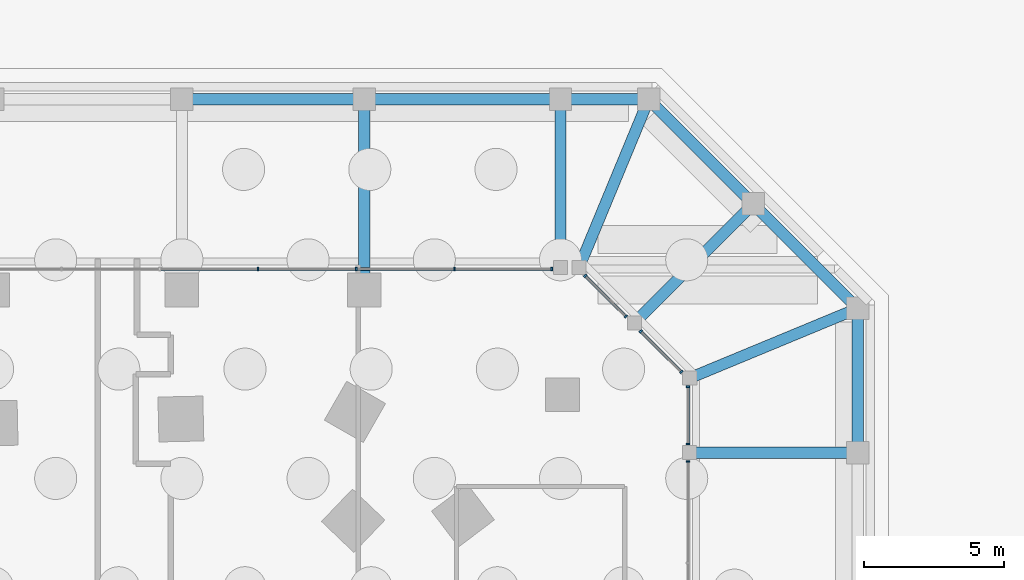
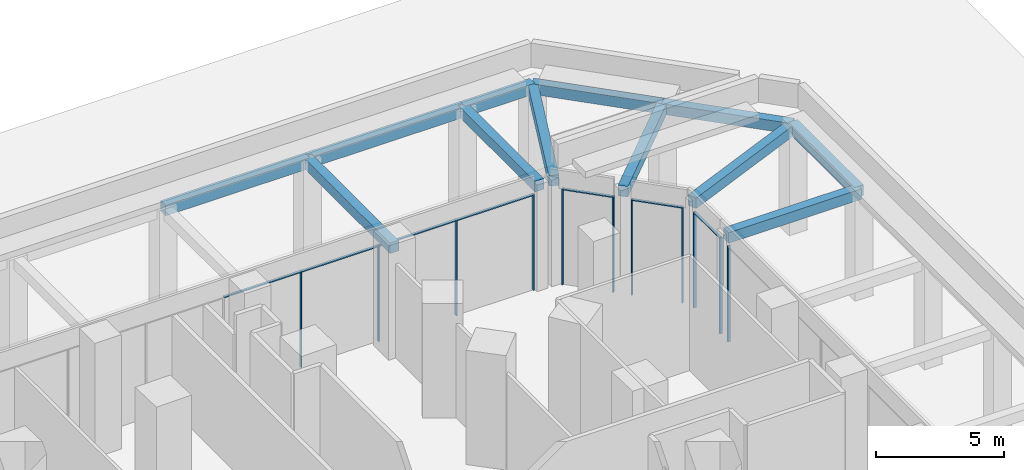
# One storey, part 34 of 46: 18 members, 12 beams, 5 elements without a shape of their own.
"""IFC4 building model written with IfcOpenShell, lengths in metres."""

from ifc_helpers import new_model, si_unit, direction, frame, origin, origin_2d, place, context, subcontext, project, spatial, rectangle, extrude, material, material_profile, profile_set, type_object, element, aggregate, save


model = new_model("IFC4")

# Units and contexts
model_context = context("Model", 3, precision=1e-05, world=origin(), true_north=direction((0.0, 1.0)))
body_context = subcontext(model_context, "Body", "Model", "MODEL_VIEW")
ifc_project = project(units=[si_unit("LENGTHUNIT", "METRE"), si_unit("AREAUNIT", "SQUARE_METRE"), si_unit("VOLUMEUNIT", "CUBIC_METRE"), si_unit("PLANEANGLEUNIT", "RADIAN"), si_unit("MASSUNIT", "GRAM", prefix="KILO")], contexts=[model_context])

# Site, building, storey
site_placement = place(None, origin())
site = spatial("IfcSite", under=ifc_project, at=site_placement, CompositionType="ELEMENT")
building_placement = place(site_placement, origin())
building = spatial("IfcBuilding", under=site, at=building_placement, Name="Mangrove Gate Tower", CompositionType="ELEMENT")
storey_placement = place(building_placement, origin())
storey = spatial("IfcBuildingStorey", under=building, at=storey_placement, Name="L00", CompositionType="ELEMENT", Elevation=0.0)

# Beams
ifc_material_1 = material(Name="Concrete C70/85", Category="concrete")
ifc_material_profile_1 = material_profile(ifc_material_1, rectangle(XDim=0.39990234375, YDim=0.5, at=origin_2d()))
ifc_profile_set_1 = profile_set([ifc_material_profile_1], Name="Concrete C70/85")
beam_type = type_object("IfcBeamType", Name="Canopy beam RC 400x500 C70/85", PredefinedType="BEAM", material=ifc_profile_set_1)
beam_1_placement = place(storey_placement, frame((18.0, 36.89990234375, 4.830078125), z_axis=(1.0, 0.0, 0.0), x_axis=(0.0, 1.0, 0.0)))
element("IfcBeam", 1, at=beam_1_placement, inside=storey, type_object=beam_type, Name="Canopy beam L00 CEN09", PredefinedType="BEAM", context=body_context, shape_type="SweptSolid", body=[
    extrude(rectangle(XDim=0.39990234375, YDim=0.5, at=origin_2d()), origin(), (0.0, 0.0, 1.0), 6.5),
])
beam_2_placement = place(storey_placement, frame((24.5, 36.89990234375, 4.830078125), z_axis=(1.0, 0.0, 0.0), x_axis=(0.0, 1.0, 0.0)))
element("IfcBeam", 2, at=beam_2_placement, inside=storey, type_object=beam_type, Name="Canopy beam L00 CEN10", PredefinedType="BEAM", context=body_context, shape_type="SweptSolid", body=[
    extrude(rectangle(XDim=0.39990234375, YDim=0.5, at=origin_2d()), origin(), (0.0, 0.0, 1.0), 7.0),
])
beam_3_placement = place(storey_placement, frame((31.5, 36.89990234375, 4.830078125), z_axis=(1.0, 0.0, 0.0), x_axis=(0.0, 1.0, 0.0)))
element("IfcBeam", 3, at=beam_3_placement, inside=storey, type_object=beam_type, Name="Canopy beam L00 CEN11", PredefinedType="BEAM", context=body_context, shape_type="SweptSolid", body=[
    extrude(rectangle(XDim=0.39990234375, YDim=0.5, at=origin_2d()), origin(), (0.0, 0.0, 1.0), 3.14404296875),
])
beam_4_placement = place(storey_placement, frame((34.64404296875, 36.89990234375, 4.830078125), z_axis=(0.707129935029, -0.707083626586, 0.0), x_axis=(0.707083626586, 0.707129935029, 0.0)))
element("IfcBeam", 4, at=beam_4_placement, inside=storey, type_object=beam_type, Name="Canopy beam L00 CEN12", PredefinedType="BEAM", context=body_context, shape_type="SweptSolid", body=[
    extrude(rectangle(XDim=0.39990234375, YDim=0.5, at=origin_2d()), origin(), (0.0, 0.0, 1.0), 5.27197265625),
])
beam_5_placement = place(storey_placement, frame((42.10009765625, 24.300048828125, 4.830078125), z_axis=(0.0, 1.0, 0.0), x_axis=(-1.0, 0.0, 0.0)))
element("IfcBeam", 5, at=beam_5_placement, inside=storey, type_object=beam_type, Name="Canopy beam L00 CEE05", PredefinedType="BEAM", context=body_context, shape_type="SweptSolid", body=[
    extrude(rectangle(XDim=0.39990234375, YDim=0.5, at=origin_2d()), origin(), (0.0, 0.0, 1.0), 5.14404296875),
])
beam_6_placement = place(storey_placement, frame((42.10009765625, 29.444091796875, 4.830078125), z_axis=(-0.707106781187, 0.707106781187, 0.0), x_axis=(-0.707106781187, -0.707106781187, 0.0)))
element("IfcBeam", 6, at=beam_6_placement, inside=storey, type_object=beam_type, Name="Canopy beam L00 CEE06", PredefinedType="BEAM", context=body_context, shape_type="SweptSolid", body=[
    extrude(rectangle(XDim=0.39990234375, YDim=0.5, at=origin_2d()), origin(), (0.0, 0.0, 1.0), 5.272216796875),
])
beam_7_placement = place(storey_placement, frame((36.10009765625, 24.300048828125, 4.830078125), z_axis=(1.0, 0.0, 0.0), x_axis=(0.0, 1.0, 0.0)))
element("IfcBeam", 7, at=beam_7_placement, inside=storey, type_object=beam_type, Name="Canopy beam L00 CBE05", PredefinedType="BEAM", context=body_context, shape_type="SweptSolid", body=[
    extrude(rectangle(XDim=0.39990234375, YDim=0.5, at=origin_2d()), origin(), (0.0, 0.0, 1.0), 6.0),
])
beam_8_placement = place(storey_placement, frame((36.107666015625, 26.961669921875, 4.830078125), z_axis=(0.923864519325, 0.382719675392, 0.0), x_axis=(-0.382719675392, 0.923864519325, 0.0)))
element("IfcBeam", 8, at=beam_8_placement, inside=storey, type_object=beam_type, Name="Canopy beam L00 CBE06", PredefinedType="BEAM", context=body_context, shape_type="SweptSolid", body=[
    extrude(rectangle(XDim=0.39990234375, YDim=0.5, at=origin_2d()), origin(), (0.0, 0.0, 1.0), 6.486328125),
])
beam_9_placement = place(storey_placement, frame((24.5, 30.10009765625, 4.830078125), z_axis=(0.0, 1.0, 0.0), x_axis=(-1.0, 0.0, 0.0)))
element("IfcBeam", 9, at=beam_9_placement, inside=storey, type_object=beam_type, Name="Canopy beam L00 CBN10", PredefinedType="BEAM", context=body_context, shape_type="SweptSolid", body=[
    extrude(rectangle(XDim=0.39990234375, YDim=0.5, at=origin_2d()), origin(), (0.0, 0.0, 1.0), 6.7998046875),
])
beam_10_placement = place(storey_placement, frame((31.5, 30.89990234375, 4.830078125), z_axis=(0.0, 1.0, 0.0), x_axis=(-1.0, 0.0, 0.0)))
element("IfcBeam", 10, at=beam_10_placement, inside=storey, type_object=beam_type, Name="Canopy beam L00 CBN11", PredefinedType="BEAM", context=body_context, shape_type="SweptSolid", body=[
    extrude(rectangle(XDim=0.39990234375, YDim=0.5, at=origin_2d()), origin(), (0.0, 0.0, 1.0), 6.0),
])
beam_11_placement = place(storey_placement, frame((32.16162109375, 30.90771484375, 4.830078125), z_axis=(0.382732984475, 0.923859005798, 0.0), x_axis=(-0.923859005798, 0.382732984475, 0.0)))
element("IfcBeam", 11, at=beam_11_placement, inside=storey, type_object=beam_type, Name="Canopy beam L00 CBN12", PredefinedType="BEAM", context=body_context, shape_type="SweptSolid", body=[
    extrude(rectangle(XDim=0.39990234375, YDim=0.5, at=origin_2d()), origin(), (0.0, 0.0, 1.0), 6.486083984375),
])
beam_12_placement = place(storey_placement, frame((34.12939453125, 28.92919921875, 4.830078125), z_axis=(0.707086436595, 0.707127125192, 0.0), x_axis=(-0.707127125192, 0.707086436595, 0.0)))
element("IfcBeam", 12, at=beam_12_placement, inside=storey, type_object=beam_type, Name="Canopy beam L00 CBN13", PredefinedType="BEAM", context=body_context, shape_type="SweptSolid", body=[
    extrude(rectangle(XDim=0.39990234375, YDim=0.5, at=origin_2d()), origin(), (0.0, 0.0, 1.0), 6.000244140625),
])

# Curtain wall, member
ifc_material_2 = material(Name="Aluminium and glass curtain wall", Category="aluminium")
curtain_wall_type = type_object("IfcCurtainWallType", Name="Podium shopfront glazing wall", PredefinedType="NOTDEFINED", material=ifc_material_2)
curtain_wall_1_placement = place(storey_placement, origin())
curtain_wall_1 = element("IfcCurtainWall", 13, at=curtain_wall_1_placement, inside=storey, type_object=curtain_wall_type, Name="Podium shopfront glazing E10s1", PredefinedType="NOTDEFINED")
ifc_material_3 = material(Name="Aluminium alloy 6063-T6", Category="aluminium")
ifc_material_profile_2 = material_profile(ifc_material_3, rectangle(XDim=0.06005859375, YDim=0.1201171875, at=origin_2d()))
ifc_profile_set_2 = profile_set([ifc_material_profile_2], Name="Aluminium alloy 6063-T6")
member_type_1 = type_object("IfcMemberType", Name="Podium shopfront glazing mullion 60x120", PredefinedType="MULLION", material=ifc_profile_set_2)
member_1_placement = place(storey_placement, frame((36.050048828125, 23.989990234375, 0.0), z_axis=(0.0, 0.0, 1.0), x_axis=(0.0, 1.0, 0.0)))
member_1 = element("IfcMember", 14, at=member_1_placement, type_object=member_type_1, Name="CWS mullion 9", PredefinedType="MULLION", context=body_context, shape_type="SweptSolid", body=[
    extrude(rectangle(XDim=0.06005859375, YDim=0.1201171875, at=origin_2d()), origin(), (0.0, 0.0, 1.0), 4.570068359375),
])
aggregate(curtain_wall_1, [member_1])

# Curtain wall, members
curtain_wall_2_placement = place(storey_placement, origin())
curtain_wall_2 = element("IfcCurtainWall", 15, at=curtain_wall_2_placement, inside=storey, type_object=curtain_wall_type, Name="Podium shopfront glazing E10s2", PredefinedType="NOTDEFINED")
member_2_placement = place(storey_placement, frame((36.050048828125, 24.610107421875, 0.0), z_axis=(0.0, 0.0, 1.0), x_axis=(0.0, 1.0, 0.0)))
member_2 = element("IfcMember", 16, at=member_2_placement, type_object=member_type_1, Name="CWS mullion 1", PredefinedType="MULLION", context=body_context, shape_type="SweptSolid", body=[
    extrude(rectangle(XDim=0.06005859375, YDim=0.1201171875, at=origin_2d()), origin(), (0.0, 0.0, 1.0), 4.570068359375),
])
member_3_placement = place(storey_placement, frame((36.050048828125, 26.651611328125, 0.0), z_axis=(0.0, 0.0, 1.0), x_axis=(0.0, 1.0, 0.0)))
member_3 = element("IfcMember", 17, at=member_3_placement, type_object=member_type_1, Name="CWS mullion 2", PredefinedType="MULLION", context=body_context, shape_type="SweptSolid", body=[
    extrude(rectangle(XDim=0.06005859375, YDim=0.1201171875, at=origin_2d()), origin(), (0.0, 0.0, 1.0), 4.570068359375),
])

curtain_wall_3_placement = place(storey_placement, origin())
curtain_wall_3 = element("IfcCurtainWall", 18, at=curtain_wall_3_placement, inside=storey, type_object=curtain_wall_type, Name="Podium shopfront glazing E11s1", PredefinedType="NOTDEFINED")
member_4_placement = place(storey_placement, frame((35.806396484375, 27.181396484375, 0.0), z_axis=(0.0, 0.0, 1.0), x_axis=(-0.707106781187, 0.707106781187, 0.0)))
member_4 = element("IfcMember", 19, at=member_4_placement, type_object=member_type_1, Name="CWS mullion 1", PredefinedType="MULLION", context=body_context, shape_type="SweptSolid", body=[
    extrude(rectangle(XDim=0.06005859375, YDim=0.1201171875, at=origin_2d()), origin(), (0.0, 0.0, 1.0), 4.570068359375),
])
member_5_placement = place(storey_placement, frame((34.35986328125, 28.628173828125, 0.0), z_axis=(0.0, 0.0, 1.0), x_axis=(-0.707106781187, 0.707106781187, 0.0)))
member_5 = element("IfcMember", 20, at=member_5_placement, type_object=member_type_1, Name="CWS mullion 2", PredefinedType="MULLION", context=body_context, shape_type="SweptSolid", body=[
    extrude(rectangle(XDim=0.06005859375, YDim=0.1201171875, at=origin_2d()), origin(), (0.0, 0.0, 1.0), 4.570068359375),
])

curtain_wall_4_placement = place(storey_placement, origin())
curtain_wall_4 = element("IfcCurtainWall", 21, at=curtain_wall_4_placement, inside=storey, type_object=curtain_wall_type, Name="Podium shopfront glazing E11s2", PredefinedType="NOTDEFINED")
member_6_placement = place(storey_placement, frame((33.828125, 29.159912109375, 0.0), z_axis=(0.0, 0.0, 1.0), x_axis=(-0.707106781187, 0.707106781187, 0.0)))
member_6 = element("IfcMember", 22, at=member_6_placement, type_object=member_type_1, Name="CWS mullion 1", PredefinedType="MULLION", context=body_context, shape_type="SweptSolid", body=[
    extrude(rectangle(XDim=0.06005859375, YDim=0.1201171875, at=origin_2d()), origin(), (0.0, 0.0, 1.0), 4.570068359375),
])
member_7_placement = place(storey_placement, frame((32.38134765625, 30.6064453125, 0.0), z_axis=(0.0, 0.0, 1.0), x_axis=(-0.707106781187, 0.707106781187, 0.0)))
member_7 = element("IfcMember", 23, at=member_7_placement, type_object=member_type_1, Name="CWS mullion 2", PredefinedType="MULLION", context=body_context, shape_type="SweptSolid", body=[
    extrude(rectangle(XDim=0.06005859375, YDim=0.1201171875, at=origin_2d()), origin(), (0.0, 0.0, 1.0), 4.570068359375),
])

curtain_wall_5_placement = place(storey_placement, origin())
curtain_wall_5 = element("IfcCurtainWall", 24, at=curtain_wall_5_placement, inside=storey, type_object=curtain_wall_type, Name="Podium shopfront glazing N12s1", PredefinedType="NOTDEFINED")
member_8_placement = place(storey_placement, frame((31.18994140625, 30.85009765625, 0.0), z_axis=(0.0, 0.0, 1.0), x_axis=(-1.0, 0.0, 0.0)))
member_8 = element("IfcMember", 25, at=member_8_placement, type_object=member_type_1, Name="CWS mullion 1", PredefinedType="MULLION", context=body_context, shape_type="SweptSolid", body=[
    extrude(rectangle(XDim=0.06005859375, YDim=0.1201171875, at=origin_2d()), origin(), (0.0, 0.0, 1.0), 4.570068359375),
])
member_9_placement = place(storey_placement, frame((27.717529296875, 30.85009765625, 0.0), z_axis=(0.0, 0.0, 1.0), x_axis=(-1.0, 0.0, 0.0)))
member_9 = element("IfcMember", 26, at=member_9_placement, type_object=member_type_1, Name="CWS mullion 2", PredefinedType="MULLION", context=body_context, shape_type="SweptSolid", body=[
    extrude(rectangle(XDim=0.06005859375, YDim=0.1201171875, at=origin_2d()), origin(), (0.0, 0.0, 1.0), 4.570068359375),
])
member_10_placement = place(storey_placement, frame((24.215087890625, 30.85009765625, 0.0), z_axis=(0.0, 0.0, 1.0), x_axis=(-1.0, 0.0, 0.0)))
member_10 = element("IfcMember", 27, at=member_10_placement, type_object=member_type_1, Name="CWS mullion 3", PredefinedType="MULLION", context=body_context, shape_type="SweptSolid", body=[
    extrude(rectangle(XDim=0.06005859375, YDim=0.1201171875, at=origin_2d()), origin(), (0.0, 0.0, 1.0), 4.570068359375),
])
member_11_placement = place(storey_placement, frame((20.71240234375, 30.85009765625, 0.0), z_axis=(0.0, 0.0, 1.0), x_axis=(-1.0, 0.0, 0.0)))
member_11 = element("IfcMember", 28, at=member_11_placement, type_object=member_type_1, Name="CWS mullion 4", PredefinedType="MULLION", context=body_context, shape_type="SweptSolid", body=[
    extrude(rectangle(XDim=0.06005859375, YDim=0.1201171875, at=origin_2d()), origin(), (0.0, 0.0, 1.0), 4.570068359375),
])

# Member
ifc_material_4 = material(Name="Aluminium alloy 6063-T6", Category="aluminium")
ifc_material_profile_3 = material_profile(ifc_material_4, rectangle(XDim=0.06005859375, YDim=0.10009765625, at=origin_2d()))
ifc_profile_set_3 = profile_set([ifc_material_profile_3], Name="Aluminium alloy 6063-T6")
member_type_2 = type_object("IfcMemberType", Name="Podium shopfront glazing transom 60x100", PredefinedType="USERDEFINED", material=ifc_profile_set_3)
member_12_placement = place(storey_placement, frame((36.050048828125, 24.639892578125, 4.5400390625), z_axis=(0.0, 1.0, 0.0), x_axis=(0.0, 0.0, 1.0)))
member_12 = element("IfcMember", 29, at=member_12_placement, type_object=member_type_2, Name="CWS transom 1.2", ObjectType="TRANSOM", PredefinedType="USERDEFINED", context=body_context, shape_type="SweptSolid", body=[
    extrude(rectangle(XDim=0.06005859375, YDim=0.10009765625, at=origin_2d()), origin(), (0.0, 0.0, 1.0), 1.98193359375),
])

aggregate(curtain_wall_2, [member_2, member_3, member_12])

member_13_placement = place(storey_placement, frame((35.78515625, 27.20263671875, 4.5400390625), z_axis=(-0.707045307005, 0.707168250024, 0.0), x_axis=(0.0, 0.0, 1.0)))
member_13 = element("IfcMember", 30, at=member_13_placement, type_object=member_type_2, Name="CWS transom 1.2", ObjectType="TRANSOM", PredefinedType="USERDEFINED", context=body_context, shape_type="SweptSolid", body=[
    extrude(rectangle(XDim=0.06005859375, YDim=0.10009765625, at=origin_2d()), origin(), (0.0, 0.0, 1.0), 1.98583984375),
])

aggregate(curtain_wall_3, [member_4, member_5, member_13])

member_14_placement = place(storey_placement, frame((33.806884765625, 29.180908203125, 4.5400390625), z_axis=(-0.707106781187, 0.707106781187, 0.0), x_axis=(0.0, 0.0, 1.0)))
member_14 = element("IfcMember", 31, at=member_14_placement, type_object=member_type_2, Name="CWS transom 1.2", ObjectType="TRANSOM", PredefinedType="USERDEFINED", context=body_context, shape_type="SweptSolid", body=[
    extrude(rectangle(XDim=0.06005859375, YDim=0.10009765625, at=origin_2d()), origin(), (0.0, 0.0, 1.0), 1.986083984375),
])

aggregate(curtain_wall_4, [member_6, member_7, member_14])

member_15_placement = place(storey_placement, frame((31.159912109375, 30.85009765625, 4.5400390625), z_axis=(-1.0, 0.0, 0.0), x_axis=(0.0, 0.0, 1.0)))
member_15 = element("IfcMember", 32, at=member_15_placement, type_object=member_type_2, Name="CWS transom 1.2", ObjectType="TRANSOM", PredefinedType="USERDEFINED", context=body_context, shape_type="SweptSolid", body=[
    extrude(rectangle(XDim=0.06005859375, YDim=0.10009765625, at=origin_2d()), origin(), (0.0, 0.0, 1.0), 3.412353515625),
])

member_16_placement = place(storey_placement, frame((27.6875, 30.85009765625, 4.5400390625), z_axis=(-1.0, 0.0, 0.0), x_axis=(0.0, 0.0, 1.0)))
member_16 = element("IfcMember", 33, at=member_16_placement, type_object=member_type_2, Name="CWS transom 2.2", ObjectType="TRANSOM", PredefinedType="USERDEFINED", context=body_context, shape_type="SweptSolid", body=[
    extrude(rectangle(XDim=0.06005859375, YDim=0.10009765625, at=origin_2d()), origin(), (0.0, 0.0, 1.0), 3.4423828125),
])

member_17_placement = place(storey_placement, frame((24.18505859375, 30.85009765625, 4.5400390625), z_axis=(-1.0, 0.0, 0.0), x_axis=(0.0, 0.0, 1.0)))
member_17 = element("IfcMember", 34, at=member_17_placement, type_object=member_type_2, Name="CWS transom 3.2", ObjectType="TRANSOM", PredefinedType="USERDEFINED", context=body_context, shape_type="SweptSolid", body=[
    extrude(rectangle(XDim=0.06005859375, YDim=0.10009765625, at=origin_2d()), origin(), (0.0, 0.0, 1.0), 3.442626953125),
])

member_18_placement = place(storey_placement, frame((20.6826171875, 30.85009765625, 4.5400390625), z_axis=(-1.0, 0.0, 0.0), x_axis=(0.0, 0.0, 1.0)))
member_18 = element("IfcMember", 35, at=member_18_placement, type_object=member_type_2, Name="CWS transom 4.2", ObjectType="TRANSOM", PredefinedType="USERDEFINED", context=body_context, shape_type="SweptSolid", body=[
    extrude(rectangle(XDim=0.06005859375, YDim=0.10009765625, at=origin_2d()), origin(), (0.0, 0.0, 1.0), 3.442626953125),
])

aggregate(curtain_wall_5, [member_8, member_9, member_10, member_11, member_15, member_16, member_17, member_18])

save(model, "model.ifc")
